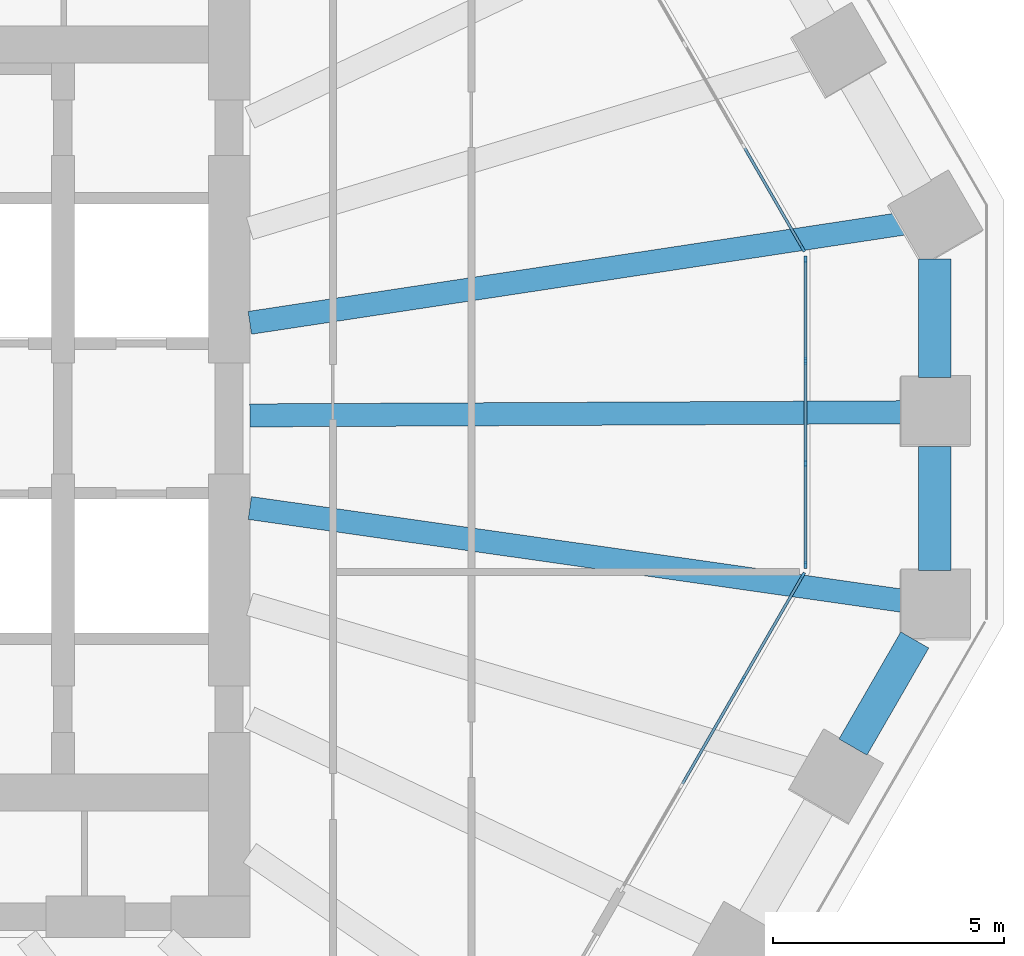
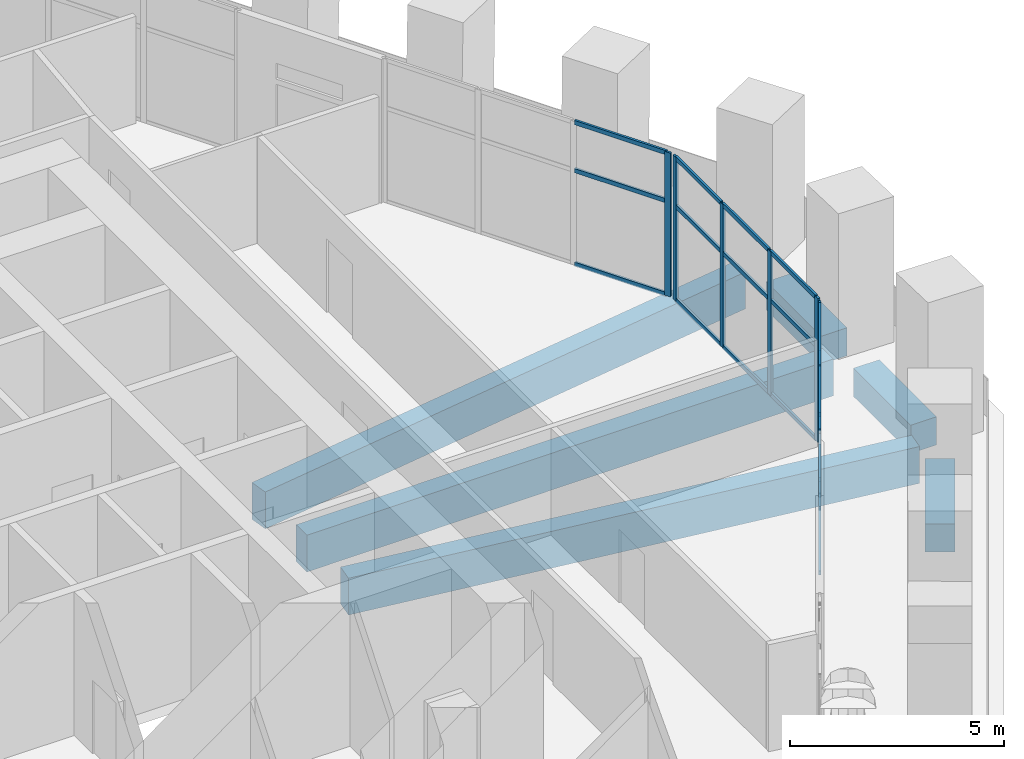
# One storey, part 5 of 18: 25 members, 6 beams, 3 elements without a shape of their own.
"""IFC4 building model written with IfcOpenShell, lengths in metres."""

from ifc_helpers import new_model, si_unit, direction, frame, origin, origin_2d, place, context, subcontext, project, spatial, rectangle, extrude, material, material_profile, profile_set, type_object, element, aggregate, save


model = new_model("IFC4")

# Units and contexts
model_context = context("Model", 3, precision=1e-05, world=origin(), true_north=direction((0.0, 1.0)))
body_context = subcontext(model_context, "Body", "Model", "MODEL_VIEW")
ifc_project = project(units=[si_unit("LENGTHUNIT", "METRE"), si_unit("AREAUNIT", "SQUARE_METRE"), si_unit("VOLUMEUNIT", "CUBIC_METRE"), si_unit("PLANEANGLEUNIT", "RADIAN"), si_unit("MASSUNIT", "GRAM", prefix="KILO")], contexts=[model_context])

# Site, building, storey
site_placement = place(None, origin())
site = spatial("IfcSite", under=ifc_project, at=site_placement, CompositionType="ELEMENT")
building_placement = place(site_placement, origin())
building = spatial("IfcBuilding", under=site, at=building_placement, Name="Frailejon Research Tower", CompositionType="ELEMENT")
storey_placement = place(building_placement, frame((0.0, 0.0, 19.0)))
storey = spatial("IfcBuildingStorey", under=building, at=storey_placement, Name="L04", CompositionType="ELEMENT", Elevation=19.0)

# Curtain wall, members
ifc_material_1 = material(Name="Aluminium curtain wall", Category="aluminium")
curtain_wall_type = type_object("IfcCurtainWallType", Name="Base zone unitised curtain wall system", PredefinedType="NOTDEFINED", material=ifc_material_1)
curtain_wall_1_placement = place(storey_placement, origin())
curtain_wall_1 = element("IfcCurtainWall", 1, at=curtain_wall_1_placement, inside=storey, type_object=curtain_wall_type, Name="Curtain wall L04", PredefinedType="NOTDEFINED")
ifc_material_2 = material(Name="Aluminium extrusion", Category="aluminium")
ifc_material_profile_1 = material_profile(ifc_material_2, rectangle(XDim=0.06005859375, YDim=0.159912109375, at=origin_2d()), Name="Base zone unitised curtain wall mullion 60x160")
ifc_profile_set_1 = profile_set([ifc_material_profile_1], Name="Aluminium extrusion")
member_type_1 = type_object("IfcMemberType", Name="Base zone unitised curtain wall mullion 60x160", PredefinedType="MULLION", material=ifc_profile_set_1)
member_1_placement = place(storey_placement, frame((25.692626953125, -3.1689453125, 0.0), z_axis=(0.0, 0.0, 1.0), x_axis=(-1.0, 0.0, 0.0)))
member_1 = element("IfcMember", 2, at=member_1_placement, type_object=member_type_1, Name="CW3-063 mullion 1", PredefinedType="MULLION", context=body_context, shape_type="SweptSolid", body=[
    extrude(rectangle(XDim=0.06005859375, YDim=0.159912109375, at=origin_2d()), origin(), (0.0, 0.0, 1.0), 4.10009765625),
])
member_2_placement = place(storey_placement, frame((25.692626953125, -0.97412109375, 0.0), z_axis=(0.0, 0.0, 1.0), x_axis=(-1.0, 0.0, 0.0)))
member_2 = element("IfcMember", 3, at=member_2_placement, type_object=member_type_1, Name="CW3-063 mullion 2", PredefinedType="MULLION", context=body_context, shape_type="SweptSolid", body=[
    extrude(rectangle(XDim=0.06005859375, YDim=0.159912109375, at=origin_2d()), origin(), (0.0, 0.0, 1.0), 4.10009765625),
])
member_3_placement = place(storey_placement, frame((25.692626953125, 1.250732421875, 0.0), z_axis=(0.0, 0.0, 1.0), x_axis=(-1.0, 0.0, 0.0)))
member_3 = element("IfcMember", 4, at=member_3_placement, type_object=member_type_1, Name="CW3-063 mullion 3", PredefinedType="MULLION", context=body_context, shape_type="SweptSolid", body=[
    extrude(rectangle(XDim=0.06005859375, YDim=0.159912109375, at=origin_2d()), origin(), (0.0, 0.0, 1.0), 4.10009765625),
])
member_4_placement = place(storey_placement, frame((25.692626953125, 3.445556640625, 0.0), z_axis=(0.0, 0.0, 1.0), x_axis=(-1.0, 0.0, 0.0)))
member_4 = element("IfcMember", 5, at=member_4_placement, type_object=member_type_1, Name="CW3-063 mullion 4", PredefinedType="MULLION", context=body_context, shape_type="SweptSolid", body=[
    extrude(rectangle(XDim=0.06005859375, YDim=0.159912109375, at=origin_2d()), origin(), (0.0, 0.0, 1.0), 4.10009765625),
])

# Curtain wall, member
curtain_wall_2_placement = place(storey_placement, origin())
curtain_wall_2 = element("IfcCurtainWall", 6, at=curtain_wall_2_placement, inside=storey, type_object=curtain_wall_type, Name="Curtain wall L04", PredefinedType="NOTDEFINED")
member_5_placement = place(storey_placement, frame((25.627685546875, 3.688232421875, 0.0), z_axis=(0.0, 0.0, 1.0), x_axis=(-0.866024676356, -0.50000125994, 0.0)))
member_5 = element("IfcMember", 7, at=member_5_placement, type_object=member_type_1, Name="CW3-064 mullion 1", PredefinedType="MULLION", context=body_context, shape_type="SweptSolid", body=[
    extrude(rectangle(XDim=0.06005859375, YDim=0.159912109375, at=origin_2d()), origin(), (0.0, 0.0, 1.0), 4.10009765625),
])

# Curtain wall, members
curtain_wall_3_placement = place(storey_placement, origin())
curtain_wall_3 = element("IfcCurtainWall", 8, at=curtain_wall_3_placement, inside=storey, type_object=curtain_wall_type, Name="Curtain wall L04", PredefinedType="NOTDEFINED")
member_6_placement = place(storey_placement, frame((24.327392578125, -5.66357421875, 0.0), z_axis=(0.0, 0.0, 1.0), x_axis=(-0.866026896805, 0.499997414004, 0.0)))
member_6 = element("IfcMember", 9, at=member_6_placement, type_object=member_type_1, Name="CW3-080 mullion 3", PredefinedType="MULLION", context=body_context, shape_type="SweptSolid", body=[
    extrude(rectangle(XDim=0.06005859375, YDim=0.159912109375, at=origin_2d()), origin(), (0.0, 0.0, 1.0), 4.10009765625),
])
member_7_placement = place(storey_placement, frame((25.627685546875, -3.41162109375, 0.0), z_axis=(0.0, 0.0, 1.0), x_axis=(-0.866026896805, 0.499997414004, 0.0)))
member_7 = element("IfcMember", 10, at=member_7_placement, type_object=member_type_1, Name="CW3-080 mullion 4", PredefinedType="MULLION", context=body_context, shape_type="SweptSolid", body=[
    extrude(rectangle(XDim=0.06005859375, YDim=0.159912109375, at=origin_2d()), origin(), (0.0, 0.0, 1.0), 4.10009765625),
])

# Member
ifc_material_3 = material(Name="Aluminium extrusion", Category="aluminium")
ifc_material_profile_2 = material_profile(ifc_material_3, rectangle(XDim=0.06005859375, YDim=0.1201171875, at=origin_2d()), Name="Base zone unitised curtain wall transom 60x120")
ifc_profile_set_2 = profile_set([ifc_material_profile_2], Name="Aluminium extrusion")
member_type_2 = type_object("IfcMemberType", Name="Base zone unitised curtain wall transom 60x120", PredefinedType="USERDEFINED", material=ifc_profile_set_2)
member_8_placement = place(storey_placement, frame((25.692626953125, -3.138916015625, 0.030029296875), z_axis=(0.0, 1.0, 0.0), x_axis=(-1.0, 0.0, 0.0)))
member_8 = element("IfcMember", 11, at=member_8_placement, type_object=member_type_2, Name="CW3-063 transom 1.1", ObjectType="TRANSOM", PredefinedType="USERDEFINED", context=body_context, shape_type="SweptSolid", body=[
    extrude(rectangle(XDim=0.06005859375, YDim=0.1201171875, at=origin_2d()), origin(), (0.0, 0.0, 1.0), 2.134765625),
])

member_9_placement = place(storey_placement, frame((25.692626953125, -3.138916015625, 2.699951171875), z_axis=(0.0, 1.0, 0.0), x_axis=(-1.0, 0.0, 0.0)))
member_9 = element("IfcMember", 12, at=member_9_placement, type_object=member_type_2, Name="CW3-063 transom 1.2", ObjectType="TRANSOM", PredefinedType="USERDEFINED", context=body_context, shape_type="SweptSolid", body=[
    extrude(rectangle(XDim=0.06005859375, YDim=0.1201171875, at=origin_2d()), origin(), (0.0, 0.0, 1.0), 2.134765625),
])

member_10_placement = place(storey_placement, frame((25.692626953125, -3.138916015625, 4.070068359375), z_axis=(0.0, 1.0, 0.0), x_axis=(-1.0, 0.0, 0.0)))
member_10 = element("IfcMember", 13, at=member_10_placement, type_object=member_type_2, Name="CW3-063 transom 1.3", ObjectType="TRANSOM", PredefinedType="USERDEFINED", context=body_context, shape_type="SweptSolid", body=[
    extrude(rectangle(XDim=0.06005859375, YDim=0.1201171875, at=origin_2d()), origin(), (0.0, 0.0, 1.0), 2.134765625),
])

member_11_placement = place(storey_placement, frame((25.692626953125, -0.944091796875, 0.030029296875), z_axis=(0.0, 1.0, 0.0), x_axis=(-1.0, 0.0, 0.0)))
member_11 = element("IfcMember", 14, at=member_11_placement, type_object=member_type_2, Name="CW3-063 transom 2.1", ObjectType="TRANSOM", PredefinedType="USERDEFINED", context=body_context, shape_type="SweptSolid", body=[
    extrude(rectangle(XDim=0.06005859375, YDim=0.1201171875, at=origin_2d()), origin(), (0.0, 0.0, 1.0), 2.164794921875),
])

member_12_placement = place(storey_placement, frame((25.692626953125, -0.944091796875, 2.699951171875), z_axis=(0.0, 1.0, 0.0), x_axis=(-1.0, 0.0, 0.0)))
member_12 = element("IfcMember", 15, at=member_12_placement, type_object=member_type_2, Name="CW3-063 transom 2.2", ObjectType="TRANSOM", PredefinedType="USERDEFINED", context=body_context, shape_type="SweptSolid", body=[
    extrude(rectangle(XDim=0.06005859375, YDim=0.1201171875, at=origin_2d()), origin(), (0.0, 0.0, 1.0), 2.164794921875),
])

member_13_placement = place(storey_placement, frame((25.692626953125, -0.944091796875, 4.070068359375), z_axis=(0.0, 1.0, 0.0), x_axis=(-1.0, 0.0, 0.0)))
member_13 = element("IfcMember", 16, at=member_13_placement, type_object=member_type_2, Name="CW3-063 transom 2.3", ObjectType="TRANSOM", PredefinedType="USERDEFINED", context=body_context, shape_type="SweptSolid", body=[
    extrude(rectangle(XDim=0.06005859375, YDim=0.1201171875, at=origin_2d()), origin(), (0.0, 0.0, 1.0), 2.164794921875),
])

member_14_placement = place(storey_placement, frame((25.692626953125, 1.28076171875, 0.030029296875), z_axis=(0.0, 1.0, 0.0), x_axis=(-1.0, 0.0, 0.0)))
member_14 = element("IfcMember", 17, at=member_14_placement, type_object=member_type_2, Name="CW3-063 transom 3.1", ObjectType="TRANSOM", PredefinedType="USERDEFINED", context=body_context, shape_type="SweptSolid", body=[
    extrude(rectangle(XDim=0.06005859375, YDim=0.1201171875, at=origin_2d()), origin(), (0.0, 0.0, 1.0), 2.134765625),
])

member_15_placement = place(storey_placement, frame((25.692626953125, 1.28076171875, 2.699951171875), z_axis=(0.0, 1.0, 0.0), x_axis=(-1.0, 0.0, 0.0)))
member_15 = element("IfcMember", 18, at=member_15_placement, type_object=member_type_2, Name="CW3-063 transom 3.2", ObjectType="TRANSOM", PredefinedType="USERDEFINED", context=body_context, shape_type="SweptSolid", body=[
    extrude(rectangle(XDim=0.06005859375, YDim=0.1201171875, at=origin_2d()), origin(), (0.0, 0.0, 1.0), 2.134765625),
])

member_16_placement = place(storey_placement, frame((25.692626953125, 1.28076171875, 4.070068359375), z_axis=(0.0, 1.0, 0.0), x_axis=(-1.0, 0.0, 0.0)))
member_16 = element("IfcMember", 19, at=member_16_placement, type_object=member_type_2, Name="CW3-063 transom 3.3", ObjectType="TRANSOM", PredefinedType="USERDEFINED", context=body_context, shape_type="SweptSolid", body=[
    extrude(rectangle(XDim=0.06005859375, YDim=0.1201171875, at=origin_2d()), origin(), (0.0, 0.0, 1.0), 2.134765625),
])

aggregate(curtain_wall_1, [member_1, member_2, member_3, member_4, member_8, member_9, member_10, member_11, member_12, member_13, member_14, member_15, member_16])

member_17_placement = place(storey_placement, frame((25.612548828125, 3.714111328125, 0.030029296875), z_axis=(-0.499998364937, 0.866026347786, 0.0), x_axis=(-0.866026347786, -0.499998364937, 0.0)))
member_17 = element("IfcMember", 20, at=member_17_placement, type_object=member_type_2, Name="CW3-064 transom 1.1", ObjectType="TRANSOM", PredefinedType="USERDEFINED", context=body_context, shape_type="SweptSolid", body=[
    extrude(rectangle(XDim=0.06005859375, YDim=0.1201171875, at=origin_2d()), origin(), (0.0, 0.0, 1.0), 2.4765625),
])

member_18_placement = place(storey_placement, frame((25.612548828125, 3.714111328125, 2.699951171875), z_axis=(-0.499998364937, 0.866026347786, 0.0), x_axis=(-0.866026347786, -0.499998364937, 0.0)))
member_18 = element("IfcMember", 21, at=member_18_placement, type_object=member_type_2, Name="CW3-064 transom 1.2", ObjectType="TRANSOM", PredefinedType="USERDEFINED", context=body_context, shape_type="SweptSolid", body=[
    extrude(rectangle(XDim=0.06005859375, YDim=0.1201171875, at=origin_2d()), origin(), (0.0, 0.0, 1.0), 2.4765625),
])

member_19_placement = place(storey_placement, frame((25.612548828125, 3.714111328125, 4.070068359375), z_axis=(-0.499998364937, 0.866026347786, 0.0), x_axis=(-0.866026347786, -0.499998364937, 0.0)))
member_19 = element("IfcMember", 22, at=member_19_placement, type_object=member_type_2, Name="CW3-064 transom 1.3", ObjectType="TRANSOM", PredefinedType="USERDEFINED", context=body_context, shape_type="SweptSolid", body=[
    extrude(rectangle(XDim=0.06005859375, YDim=0.1201171875, at=origin_2d()), origin(), (0.0, 0.0, 1.0), 2.4765625),
])

aggregate(curtain_wall_2, [member_5, member_17, member_18, member_19])

member_20_placement = place(storey_placement, frame((23.027099609375, -7.915771484375, 0.030029296875), z_axis=(0.499980071345, 0.866036909293, 0.0), x_axis=(-0.866036909293, 0.499980071345, 0.0)))
member_20 = element("IfcMember", 23, at=member_20_placement, type_object=member_type_2, Name="CW3-080 transom 2.1", ObjectType="TRANSOM", PredefinedType="USERDEFINED", context=body_context, shape_type="SweptSolid", body=[
    extrude(rectangle(XDim=0.06005859375, YDim=0.1201171875, at=origin_2d()), origin(), (0.0, 0.0, 1.0), 2.5703125),
])

member_21_placement = place(storey_placement, frame((23.027099609375, -7.915771484375, 2.699951171875), z_axis=(0.499980071345, 0.866036909293, 0.0), x_axis=(-0.866036909293, 0.499980071345, 0.0)))
member_21 = element("IfcMember", 24, at=member_21_placement, type_object=member_type_2, Name="CW3-080 transom 2.2", ObjectType="TRANSOM", PredefinedType="USERDEFINED", context=body_context, shape_type="SweptSolid", body=[
    extrude(rectangle(XDim=0.06005859375, YDim=0.1201171875, at=origin_2d()), origin(), (0.0, 0.0, 1.0), 2.5703125),
])

member_22_placement = place(storey_placement, frame((23.027099609375, -7.915771484375, 4.070068359375), z_axis=(0.499980071345, 0.866036909293, 0.0), x_axis=(-0.866036909293, 0.499980071345, 0.0)))
member_22 = element("IfcMember", 25, at=member_22_placement, type_object=member_type_2, Name="CW3-080 transom 2.3", ObjectType="TRANSOM", PredefinedType="USERDEFINED", context=body_context, shape_type="SweptSolid", body=[
    extrude(rectangle(XDim=0.06005859375, YDim=0.1201171875, at=origin_2d()), origin(), (0.0, 0.0, 1.0), 2.5703125),
])

member_23_placement = place(storey_placement, frame((24.34228515625, -5.6376953125, 0.030029296875), z_axis=(0.499994189038, 0.866028758719, 0.0), x_axis=(-0.866028758719, 0.499994189038, 0.0)))
member_23 = element("IfcMember", 26, at=member_23_placement, type_object=member_type_2, Name="CW3-080 transom 3.1", ObjectType="TRANSOM", PredefinedType="USERDEFINED", context=body_context, shape_type="SweptSolid", body=[
    extrude(rectangle(XDim=0.06005859375, YDim=0.1201171875, at=origin_2d()), origin(), (0.0, 0.0, 1.0), 2.54052734375),
])

member_24_placement = place(storey_placement, frame((24.34228515625, -5.6376953125, 2.699951171875), z_axis=(0.499994189038, 0.866028758719, 0.0), x_axis=(-0.866028758719, 0.499994189038, 0.0)))
member_24 = element("IfcMember", 27, at=member_24_placement, type_object=member_type_2, Name="CW3-080 transom 3.2", ObjectType="TRANSOM", PredefinedType="USERDEFINED", context=body_context, shape_type="SweptSolid", body=[
    extrude(rectangle(XDim=0.06005859375, YDim=0.1201171875, at=origin_2d()), origin(), (0.0, 0.0, 1.0), 2.54052734375),
])

member_25_placement = place(storey_placement, frame((24.34228515625, -5.6376953125, 4.070068359375), z_axis=(0.499994189038, 0.866028758719, 0.0), x_axis=(-0.866028758719, 0.499994189038, 0.0)))
member_25 = element("IfcMember", 28, at=member_25_placement, type_object=member_type_2, Name="CW3-080 transom 3.3", ObjectType="TRANSOM", PredefinedType="USERDEFINED", context=body_context, shape_type="SweptSolid", body=[
    extrude(rectangle(XDim=0.06005859375, YDim=0.1201171875, at=origin_2d()), origin(), (0.0, 0.0, 1.0), 2.54052734375),
])

aggregate(curtain_wall_3, [member_6, member_7, member_20, member_21, member_22, member_23, member_24, member_25])

# Beams
ifc_material_4 = material(Name="Concrete C60/75", Category="concrete")
ifc_material_profile_3 = material_profile(ifc_material_4, rectangle(XDim=0.5, YDim=1.050048828125, at=origin_2d()), Name="Girder 500x1050")
ifc_profile_set_3 = profile_set([ifc_material_profile_3], Name="Concrete C60/75")
beam_type_1 = type_object("IfcBeamType", Name="Girder 500x1050", PredefinedType="BEAM", material=ifc_profile_set_3)
beam_1_placement = place(storey_placement, frame((27.89111328125, -3.9638671875, -0.824951171875), z_axis=(-0.990051748698, 0.140703713171, 0.0), x_axis=(-0.140703713171, -0.990051748698, 0.0)))
element("IfcBeam", 29, at=beam_1_placement, inside=storey, type_object=beam_type_1, Name="Girder 500x1050", PredefinedType="BEAM", context=body_context, shape_type="SweptSolid", body=[
    extrude(rectangle(XDim=0.5, YDim=1.050048828125, at=origin_2d()), origin(), (0.0, 0.0, 1.0), 14.38427734375),
])
beam_2_placement = place(storey_placement, frame((27.892578125, 0.135498046875, -0.824951171875), z_axis=(-0.999988233911, -0.00485098341, 0.0), x_axis=(0.00485098341, -0.999988233911, 0.0)))
element("IfcBeam", 30, at=beam_2_placement, inside=storey, type_object=beam_type_1, Name="Girder 500x1050", PredefinedType="BEAM", context=body_context, shape_type="SweptSolid", body=[
    extrude(rectangle(XDim=0.5, YDim=1.050048828125, at=origin_2d()), origin(), (0.0, 0.0, 1.0), 14.242919921875),
])
beam_3_placement = place(storey_placement, frame((27.8447265625, 4.227294921875, -0.824951171875), z_axis=(-0.988673641422, -0.150081413766, 0.0), x_axis=(0.150081413766, -0.988673641422, 0.0)))
element("IfcBeam", 31, at=beam_3_placement, inside=storey, type_object=beam_type_1, Name="Girder 500x1050", PredefinedType="BEAM", context=body_context, shape_type="SweptSolid", body=[
    extrude(rectangle(XDim=0.5, YDim=1.050048828125, at=origin_2d()), origin(), (0.0, 0.0, 1.0), 14.357421875),
])
ifc_material_5 = material(Name="Concrete C60/75", Category="concrete")
ifc_material_profile_4 = material_profile(ifc_material_5, rectangle(XDim=0.699951171875, YDim=0.800048828125, at=origin_2d()), Name="Spandrel 700x800")
ifc_profile_set_4 = profile_set([ifc_material_profile_4], Name="Concrete C60/75")
beam_type_2 = type_object("IfcBeamType", Name="Spandrel 700x800", PredefinedType="BEAM", material=ifc_profile_set_4)
beam_4_placement = place(storey_placement, frame((28.49267578125, -3.29931640625, -0.75), z_axis=(0.0, 1.0, 0.0), x_axis=(-1.0, 0.0, 0.0)))
element("IfcBeam", 32, at=beam_4_placement, inside=storey, type_object=beam_type_2, Name="Spandrel 700x800", PredefinedType="BEAM", context=body_context, shape_type="SweptSolid", body=[
    extrude(rectangle(XDim=0.699951171875, YDim=0.800048828125, at=origin_2d()), origin(), (0.0, 0.0, 1.0), 2.6875),
])
beam_5_placement = place(storey_placement, frame((28.49267578125, 0.88818359375, -0.75), z_axis=(0.0, 1.0, 0.0), x_axis=(-1.0, 0.0, 0.0)))
element("IfcBeam", 33, at=beam_5_placement, inside=storey, type_object=beam_type_2, Name="Spandrel 700x800", PredefinedType="BEAM", context=body_context, shape_type="SweptSolid", body=[
    extrude(rectangle(XDim=0.699951171875, YDim=0.800048828125, at=origin_2d()), origin(), (0.0, 0.0, 1.0), 2.571533203125),
])
beam_6_placement = place(storey_placement, frame((26.7197265625, -7.1201171875, -0.75), z_axis=(0.499980071345, 0.866036909293, 0.0), x_axis=(-0.866036909293, 0.499980071345, 0.0)))
element("IfcBeam", 34, at=beam_6_placement, inside=storey, type_object=beam_type_2, Name="Spandrel 700x800", PredefinedType="BEAM", context=body_context, shape_type="SweptSolid", body=[
    extrude(rectangle(XDim=0.699951171875, YDim=0.800048828125, at=origin_2d()), origin(), (0.0, 0.0, 1.0), 2.6796875),
])

save(model, "model.ifc")
